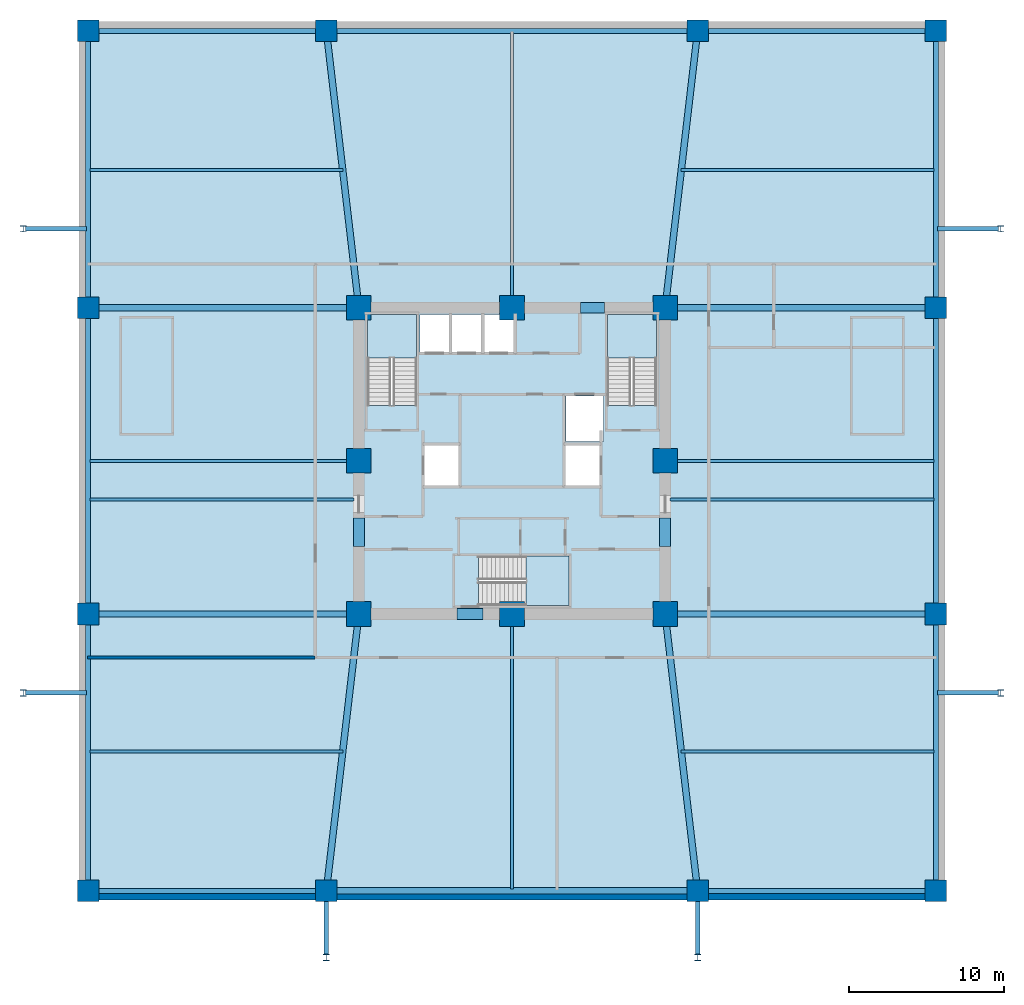
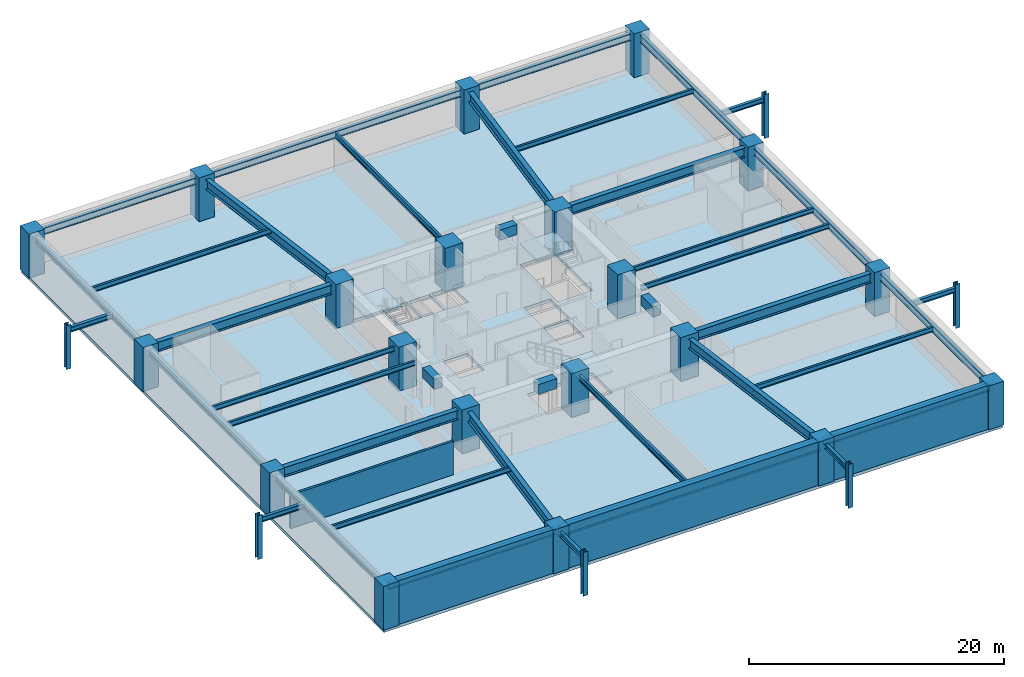
# One storey, part 1 of 5: 40 beams, 26 columns, 4 slabs, 2 walls, 3 elements without a shape of their own.
"""IFC4 building model written with IfcOpenShell, lengths in metres."""

from ifc_helpers import new_model, si_unit, direction, frame, frame_2d, origin, origin_2d, place, context, subcontext, project, spatial, polyline, rectangle, i_section, outline, extrude, material, layer, layer_set, material_profile, profile_set, type_object, element, aggregate, save


model = new_model("IFC4")

# Units and contexts
model_context = context("Model", 3, precision=1e-05, world=origin(), true_north=direction((0.0, 1.0)))
body_context = subcontext(model_context, "Body", "Model", "MODEL_VIEW")
ifc_project = project(units=[si_unit("LENGTHUNIT", "METRE"), si_unit("AREAUNIT", "SQUARE_METRE"), si_unit("VOLUMEUNIT", "CUBIC_METRE"), si_unit("PLANEANGLEUNIT", "RADIAN"), si_unit("MASSUNIT", "GRAM", prefix="KILO")], contexts=[model_context])

# Site, building, storey
site_placement = place(None, origin())
site = spatial("IfcSite", under=ifc_project, at=site_placement, CompositionType="ELEMENT")
building_placement = place(site_placement, origin())
building = spatial("IfcBuilding", under=site, at=building_placement, Name="Kolvaren Belvedere", CompositionType="ELEMENT")
storey_placement = place(building_placement, frame((0.0, 0.0, -4.199951171875)))
storey = spatial("IfcBuildingStorey", under=building, at=storey_placement, Name="B01", CompositionType="ELEMENT", Elevation=-4.199951171875)

# Columns
ifc_material_1 = material(Name="Concrete C60/75", Category="concrete")
ifc_material_profile_1 = material_profile(ifc_material_1, rectangle(XDim=1.39990234375, YDim=1.39990234375, at=origin_2d()), Name="RC 1400X1400")
ifc_profile_set_1 = profile_set([ifc_material_profile_1], Name="Concrete C60/75")
column_type_1 = type_object("IfcColumnType", Name="COL-RC-1400", PredefinedType="COLUMN", material=ifc_profile_set_1)
for number, where, z_axis, x_axis, name in (
    (1, (-27.39990234375, -27.800048828125, 0.0), (0.0, 0.0, 1.0), (1.0, 0.0, 0.0), "B01 Podium Mega-Column PA1"),
    (2, (-12.0, -27.800048828125, 0.0), (0.0, 0.0, 1.0), (1.0, 0.0, 0.0), "B01 Podium Mega-Column PA2"),
    (3, (12.0, -27.800048828125, 0.0), (0.0, 0.0, 1.0), (1.0, 0.0, 0.0), "B01 Podium Mega-Column PA3"),
    (4, (27.39990234375, -27.800048828125, 0.0), (0.0, 0.0, 1.0), (1.0, 0.0, 0.0), "B01 Podium Mega-Column PA4"),
    (5, (-27.39990234375, -9.89990234375, 0.0), (0.0, 0.0, 1.0), (1.0, 0.0, 0.0), "B01 Podium Mega-Column PB1"),
    (6, (27.39990234375, -9.89990234375, 0.0), (0.0, 0.0, 1.0), (1.0, 0.0, 0.0), "B01 Podium Mega-Column PB4"),
    (7, (-27.39990234375, 9.89990234375, 0.0), (0.0, 0.0, 1.0), (1.0, 0.0, 0.0), "B01 Podium Mega-Column PC1"),
    (8, (27.39990234375, 9.89990234375, 0.0), (0.0, 0.0, 1.0), (1.0, 0.0, 0.0), "B01 Podium Mega-Column PC4"),
    (9, (-27.39990234375, 27.800048828125, 0.0), (0.0, 0.0, 1.0), (1.0, 0.0, 0.0), "B01 Podium Mega-Column PD1"),
    (10, (-12.0, 27.800048828125, 0.0), (0.0, 0.0, 1.0), (1.0, 0.0, 0.0), "B01 Podium Mega-Column PD2"),
    (11, (12.0, 27.800048828125, 0.0), (0.0, 0.0, 1.0), (1.0, 0.0, 0.0), "B01 Podium Mega-Column PD3"),
    (12, (27.39990234375, 27.800048828125, 0.0), (0.0, 0.0, 1.0), (1.0, 0.0, 0.0), "B01 Podium Mega-Column PD4"),
):
    element("IfcColumn", number, at=place(storey_placement, frame(where, z_axis=z_axis, x_axis=x_axis)), inside=storey, type_object=column_type_1, Name=name, PredefinedType="COLUMN", context=body_context, shape_type="SweptSolid", body=[
        extrude(rectangle(XDim=1.39990234375, YDim=1.39990234375, at=origin_2d()), origin(), (0.0, 0.0, 1.0), 4.199951171875),
    ])
ifc_material_2 = material(Name="Concrete C60/75", Category="concrete")
ifc_material_profile_2 = material_profile(ifc_material_2, rectangle(XDim=1.60009765625, YDim=1.60009765625, at=origin_2d()), Name="RC 1600X1600")
ifc_profile_set_2 = profile_set([ifc_material_profile_2], Name="Concrete C60/75")
column_type_2 = type_object("IfcColumnType", Name="COL-RC-1600", PredefinedType="COLUMN", material=ifc_profile_set_2)
for number, where, z_axis, x_axis, name in (
    (13, (-9.89990234375, -9.89990234375, 0.0), (0.0, 0.0, 1.0), (1.0, 0.0, 0.0), "B01 Core Column CC1"),
    (14, (9.89990234375, -9.89990234375, 0.0), (0.0, 0.0, 1.0), (1.0, 0.0, 0.0), "B01 Core Column CC2"),
    (15, (9.89990234375, 9.89990234375, 0.0), (0.0, 0.0, 1.0), (1.0, 0.0, 0.0), "B01 Core Column CC3"),
    (16, (-9.89990234375, 9.89990234375, 0.0), (0.0, 0.0, 1.0), (1.0, 0.0, 0.0), "B01 Core Column CC4"),
    (17, (0.0, -9.89990234375, 0.0), (0.0, 0.0, 1.0), (1.0, 0.0, 0.0), "B01 Core Column CM1"),
    (18, (9.89990234375, 0.0, 0.0), (0.0, 0.0, 1.0), (1.0, 0.0, 0.0), "B01 Core Column CM2"),
    (19, (0.0, 9.89990234375, 0.0), (0.0, 0.0, 1.0), (1.0, 0.0, 0.0), "B01 Core Column CM3"),
    (20, (-9.89990234375, 0.0, 0.0), (0.0, 0.0, 1.0), (1.0, 0.0, 0.0), "B01 Core Column CM4"),
):
    element("IfcColumn", number, at=place(storey_placement, frame(where, z_axis=z_axis, x_axis=x_axis)), inside=storey, type_object=column_type_2, Name=name, PredefinedType="COLUMN", context=body_context, shape_type="SweptSolid", body=[
        extrude(rectangle(XDim=1.60009765625, YDim=1.60009765625, at=origin_2d()), origin(), (0.0, 0.0, 1.0), 4.199951171875),
    ])
ifc_material_3 = material(Name="Structural steel ASTM A992 Grade 50", Category="steel")
ifc_material_profile_3 = material_profile(ifc_material_3, i_section(OverallWidth=0.412109375, OverallDepth=0.43505859375, WebThickness=0.035888671875, FlangeThickness=0.057373046875, FilletRadius=0.02490234375, at=origin_2d()), Name="W14X311")
ifc_profile_set_3 = profile_set([ifc_material_profile_3], Name="Structural steel ASTM A992 Grade 50")
column_type_3 = type_object("IfcColumnType", Name="COL-ST-W14X311", PredefinedType="COLUMN", material=ifc_profile_set_3)
for number, where, z_axis, x_axis, name in (
    (21, (-31.60009765625, 15.0, 0.0), (0.0, 0.0, 1.0), (1.0, 0.0, 0.0), "B01 Forecourt Canopy Column PAD-NW"),
    (22, (-31.60009765625, -15.0, 0.0), (0.0, 0.0, 1.0), (1.0, 0.0, 0.0), "B01 Forecourt Canopy Column PAD-SW"),
    (23, (31.60009765625, 15.0, 0.0), (0.0, 0.0, 1.0), (1.0, 0.0, 0.0), "B01 Forecourt Canopy Column PAD-NE"),
    (24, (31.60009765625, -15.0, 0.0), (0.0, 0.0, 1.0), (1.0, 0.0, 0.0), "B01 Forecourt Canopy Column PAD-SE"),
    (25, (-12.0, -32.10009765625, 0.0), (0.0, 0.0, 1.0), (1.0, 0.0, 0.0), "B01 Forecourt Canopy Column PAD-S1"),
    (26, (12.0, -32.10009765625, 0.0), (0.0, 0.0, 1.0), (1.0, 0.0, 0.0), "B01 Forecourt Canopy Column PAD-S2"),
):
    element("IfcColumn", number, at=place(storey_placement, frame(where, z_axis=z_axis, x_axis=x_axis)), inside=storey, type_object=column_type_3, Name=name, PredefinedType="COLUMN", context=body_context, shape_type="SweptSolid", body=[
        extrude(i_section(OverallWidth=0.412109375, OverallDepth=0.43505859375, WebThickness=0.035888671875, FlangeThickness=0.057373046875, FilletRadius=0.02490234375, at=origin_2d()), origin(), (0.0, 0.0, 1.0), 4.199951171875),
    ])

# Beams
ifc_material_4 = material(Name="Structural steel ASTM A992 Grade 50", Category="steel")
ifc_material_profile_4 = material_profile(ifc_material_4, i_section(OverallWidth=0.423095703125, OverallDepth=0.947998046875, WebThickness=0.02392578125, FlangeThickness=0.042724609375, FilletRadius=0.028076171875, at=origin_2d()), Name="W36X302")
ifc_profile_set_4 = profile_set([ifc_material_profile_4], Name="Structural steel ASTM A992 Grade 50")
beam_type_1 = type_object("IfcBeamType", Name="BM-ARCH-W36X302", PredefinedType="BEAM", material=ifc_profile_set_4)
beam_1_placement = place(storey_placement, frame((-11.85009765625, -27.800048828125, 3.3759765625), z_axis=(1.0, 0.0, 0.0), x_axis=(0.0, 1.0, 0.0)))
element("IfcBeam", 27, at=beam_1_placement, inside=storey, type_object=beam_type_1, Name="B01 South Portal Header Spandrel", PredefinedType="SPANDREL", context=body_context, shape_type="SweptSolid", body=[
    extrude(i_section(OverallWidth=0.423095703125, OverallDepth=0.947998046875, WebThickness=0.02392578125, FlangeThickness=0.042724609375, FilletRadius=0.028076171875, at=origin_2d()), origin(), (0.0, 0.0, 1.0), 23.7001953125),
])
ifc_material_5 = material(Name="Structural steel ASTM A992 Grade 50", Category="steel")
ifc_material_profile_5 = material_profile(ifc_material_5, i_section(OverallWidth=0.281982421875, OverallDepth=0.467041015625, WebThickness=0.01220703125, FlangeThickness=0.01953125, FilletRadius=0.014892578125, at=origin_2d()), Name="W18X86")
ifc_profile_set_5 = profile_set([ifc_material_profile_5], Name="Structural steel ASTM A992 Grade 50")
beam_type_2 = type_object("IfcBeamType", Name="BM-CANT-PF", PredefinedType="BEAM", material=ifc_profile_set_5)
for number, where, z_axis, x_axis, name in (
    (28, (-31.43994140625, 15.0, 3.616455078125), (1.0, 0.0, 0.0), (0.0, 1.0, 0.0), "B01 Forecourt Canopy Tie Girder PAD-NW"),
    (29, (-31.43994140625, -15.0, 3.616455078125), (1.0, 0.0, 0.0), (0.0, 1.0, 0.0), "B01 Forecourt Canopy Tie Girder PAD-SW"),
    (30, (31.43994140625, 15.0, 3.616455078125), (-1.0, 0.0, 0.0), (0.0, -1.0, 0.0), "B01 Forecourt Canopy Tie Girder PAD-NE"),
    (31, (31.43994140625, -15.0, 3.616455078125), (-1.0, 0.0, 0.0), (0.0, -1.0, 0.0), "B01 Forecourt Canopy Tie Girder PAD-SE"),
):
    element("IfcBeam", number, at=place(storey_placement, frame(where, z_axis=z_axis, x_axis=x_axis)), inside=storey, type_object=beam_type_2, Name=name, PredefinedType="BEAM", context=body_context, shape_type="SweptSolid", body=[
        extrude(i_section(OverallWidth=0.281982421875, OverallDepth=0.467041015625, WebThickness=0.01220703125, FlangeThickness=0.01953125, FilletRadius=0.014892578125, at=origin_2d()), origin(), (0.0, 0.0, 1.0), 3.919921875),
    ])
for number, where, z_axis, x_axis, name in (
    (32, (-12.0, -31.93994140625, 3.616455078125), (0.0, 1.0, 0.0), (-1.0, 0.0, 0.0), "B01 Forecourt Canopy Tie Girder PAD-S1"),
    (33, (12.0, -31.93994140625, 3.616455078125), (0.0, 1.0, 0.0), (-1.0, 0.0, 0.0), "B01 Forecourt Canopy Tie Girder PAD-S2"),
):
    element("IfcBeam", number, at=place(storey_placement, frame(where, z_axis=z_axis, x_axis=x_axis)), inside=storey, type_object=beam_type_2, Name=name, PredefinedType="BEAM", context=body_context, shape_type="SweptSolid", body=[
        extrude(i_section(OverallWidth=0.281982421875, OverallDepth=0.467041015625, WebThickness=0.01220703125, FlangeThickness=0.01953125, FilletRadius=0.014892578125, at=origin_2d()), origin(), (0.0, 0.0, 1.0), 4.02001953125),
    ])
ifc_material_6 = material(Name="Structural steel ASTM A992 Grade 50", Category="steel")
ifc_material_profile_6 = material_profile(ifc_material_6, i_section(OverallWidth=0.2099609375, OverallDepth=0.537109375, WebThickness=0.010986328125, FlangeThickness=0.017333984375, FilletRadius=0.01611328125, at=origin_2d()), Name="W21X68")
ifc_profile_set_6 = profile_set([ifc_material_profile_6], Name="Structural steel ASTM A992 Grade 50")
beam_type_3 = type_object("IfcBeamType", Name="BM-FLR-W21X68", PredefinedType="BEAM", material=ifc_profile_set_6)
for number, where, z_axis, x_axis, name in (
    (34, (0.0, 10.22509765625, 3.58154296875), (0.0, 1.0, 0.0), (-1.0, 0.0, 0.0), "B01 North Centre Beam"),
    (35, (0.0, -10.22509765625, 3.58154296875), (0.0, -1.0, 0.0), (1.0, 0.0, 0.0), "B01 South Centre Beam"),
):
    element("IfcBeam", number, at=place(storey_placement, frame(where, z_axis=z_axis, x_axis=x_axis)), inside=storey, type_object=beam_type_3, Name=name, PredefinedType="BEAM", context=body_context, shape_type="SweptSolid", body=[
        extrude(i_section(OverallWidth=0.2099609375, OverallDepth=0.537109375, WebThickness=0.010986328125, FlangeThickness=0.017333984375, FilletRadius=0.01611328125, at=origin_2d()), origin(), (0.0, 0.0, 1.0), 17.454833984375),
    ])
ifc_material_7 = material(Name="Structural steel ASTM A992 Grade 50", Category="steel")
ifc_material_profile_7 = material_profile(ifc_material_7, i_section(OverallWidth=0.41796875, OverallDepth=0.927001953125, WebThickness=0.019287109375, FlangeThickness=0.031982421875, FilletRadius=0.028076171875, at=origin_2d()), Name="W36X231")
ifc_profile_set_7 = profile_set([ifc_material_profile_7], Name="Structural steel ASTM A992 Grade 50")
beam_type_4 = type_object("IfcBeamType", Name="BM-GIRD-W36X231", PredefinedType="BEAM", material=ifc_profile_set_7)
for number, where, z_axis, x_axis, name in (
    (36, (-27.25, -9.89990234375, 3.386474609375), (1.0, 0.0, 0.0), (0.0, 1.0, 0.0), "B01 West Interior Girder S"),
    (37, (-27.25, 9.89990234375, 3.386474609375), (1.0, 0.0, 0.0), (0.0, 1.0, 0.0), "B01 West Interior Girder N"),
    (38, (10.35009765625, -9.89990234375, 3.386474609375), (1.0, 0.0, 0.0), (0.0, 1.0, 0.0), "B01 East Interior Girder S"),
    (39, (10.35009765625, 9.89990234375, 3.386474609375), (1.0, 0.0, 0.0), (0.0, 1.0, 0.0), "B01 East Interior Girder N"),
):
    element("IfcBeam", number, at=place(storey_placement, frame(where, z_axis=z_axis, x_axis=x_axis)), inside=storey, type_object=beam_type_4, Name=name, PredefinedType="BEAM", context=body_context, shape_type="SweptSolid", body=[
        extrude(i_section(OverallWidth=0.41796875, OverallDepth=0.927001953125, WebThickness=0.019287109375, FlangeThickness=0.031982421875, FilletRadius=0.028076171875, at=origin_2d()), origin(), (0.0, 0.0, 1.0), 16.89990234375),
    ])
for number, where, z_axis, x_axis, name in (
    (40, (-9.952392578125, 10.346923828125, 3.386474609375), (-0.116516841483, 0.993188716031, 0.0), (-0.993188716031, -0.116516841483, 0.0), "B01 North-West Radial Girder"),
    (41, (9.952392578125, 10.346923828125, 3.386474609375), (0.116516841483, 0.993188716031, 0.0), (-0.993188716031, 0.116516841483, 0.0), "B01 North-East Radial Girder"),
    (42, (-9.952392578125, -10.346923828125, 3.386474609375), (-0.116516841483, -0.993188716031, 0.0), (0.993188716031, -0.116516841483, 0.0), "B01 South-West Portal Girder"),
    (43, (9.952392578125, -10.346923828125, 3.386474609375), (0.116516841483, -0.993188716031, 0.0), (0.993188716031, 0.116516841483, 0.0), "B01 South-East Portal Girder"),
):
    element("IfcBeam", number, at=place(storey_placement, frame(where, z_axis=z_axis, x_axis=x_axis)), inside=storey, type_object=beam_type_4, Name=name, PredefinedType="BEAM", context=body_context, shape_type="SweptSolid", body=[
        extrude(i_section(OverallWidth=0.41796875, OverallDepth=0.927001953125, WebThickness=0.019287109375, FlangeThickness=0.031982421875, FilletRadius=0.028076171875, at=origin_2d()), origin(), (0.0, 0.0, 1.0), 17.422607421875),
    ])
ifc_material_8 = material(Name="Structural steel ASTM A992 Grade 50", Category="steel")
ifc_material_profile_8 = material_profile(ifc_material_8, i_section(OverallWidth=0.19091796875, OverallDepth=0.4599609375, WebThickness=0.010009765625, FlangeThickness=0.01611328125, FilletRadius=0.014892578125, at=origin_2d()), Name="W18X55")
ifc_profile_set_8 = profile_set([ifc_material_profile_8], Name="Structural steel ASTM A992 Grade 50")
beam_type_5 = type_object("IfcBeamType", Name="BM-JOIST-W18X55", PredefinedType="BEAM", material=ifc_profile_set_8)
for number, where, z_axis, x_axis, name in (
    (44, (-27.280029296875, -18.800048828125, 3.619873046875), (1.0, 0.0, 0.0), (0.0, 1.0, 0.0), "B01 West Bay Floor Beam"),
    (45, (10.93994140625, -18.800048828125, 3.619873046875), (1.0, 0.0, 0.0), (0.0, 1.0, 0.0), "B01 East Bay Floor Beam"),
):
    element("IfcBeam", number, at=place(storey_placement, frame(where, z_axis=z_axis, x_axis=x_axis)), inside=storey, type_object=beam_type_5, Name=name, PredefinedType="BEAM", context=body_context, shape_type="SweptSolid", body=[
        extrude(i_section(OverallWidth=0.19091796875, OverallDepth=0.4599609375, WebThickness=0.010009765625, FlangeThickness=0.01611328125, FilletRadius=0.014892578125, at=origin_2d()), origin(), (0.0, 0.0, 1.0), 16.340087890625),
    ])
for number, where, z_axis, x_axis, name in (
    (46, (-27.280029296875, -2.5, 3.619873046875), (1.0, 0.0, 0.0), (0.0, 1.0, 0.0), "B01 West Bay Floor Beam"),
    (47, (10.22509765625, -2.5, 3.619873046875), (1.0, 0.0, 0.0), (0.0, 1.0, 0.0), "B01 East Bay Floor Beam"),
    (48, (-27.280029296875, 0.0, 3.619873046875), (1.0, 0.0, 0.0), (0.0, 1.0, 0.0), "B01 West Bay Floor Beam"),
    (49, (10.22509765625, 0.0, 3.619873046875), (1.0, 0.0, 0.0), (0.0, 1.0, 0.0), "B01 East Bay Floor Beam"),
):
    element("IfcBeam", number, at=place(storey_placement, frame(where, z_axis=z_axis, x_axis=x_axis)), inside=storey, type_object=beam_type_5, Name=name, PredefinedType="BEAM", context=body_context, shape_type="SweptSolid", body=[
        extrude(i_section(OverallWidth=0.19091796875, OverallDepth=0.4599609375, WebThickness=0.010009765625, FlangeThickness=0.01611328125, FilletRadius=0.014892578125, at=origin_2d()), origin(), (0.0, 0.0, 1.0), 17.054931640625),
    ])
for number, where, z_axis, x_axis, name in (
    (50, (-27.280029296875, 18.800048828125, 3.619873046875), (1.0, 0.0, 0.0), (0.0, 1.0, 0.0), "B01 West Bay Floor Beam"),
    (51, (10.93994140625, 18.800048828125, 3.619873046875), (1.0, 0.0, 0.0), (0.0, 1.0, 0.0), "B01 East Bay Floor Beam"),
):
    element("IfcBeam", number, at=place(storey_placement, frame(where, z_axis=z_axis, x_axis=x_axis)), inside=storey, type_object=beam_type_5, Name=name, PredefinedType="BEAM", context=body_context, shape_type="SweptSolid", body=[
        extrude(i_section(OverallWidth=0.19091796875, OverallDepth=0.4599609375, WebThickness=0.010009765625, FlangeThickness=0.01611328125, FilletRadius=0.014892578125, at=origin_2d()), origin(), (0.0, 0.0, 1.0), 16.340087890625),
    ])
ifc_material_9 = material(Name="Concrete C60/75", Category="concrete")
ifc_material_profile_9 = material_profile(ifc_material_9, rectangle(XDim=0.699951171875, YDim=0.949951171875, at=origin_2d()), Name="RC 700X950")
ifc_profile_set_9 = profile_set([ifc_material_profile_9], Name="Concrete C60/75")
beam_type_6 = type_object("IfcBeamType", Name="BM-LINT-950", PredefinedType="LINTEL", material=ifc_profile_set_9)
beam_2_placement = place(storey_placement, frame((-3.5400390625, -9.89990234375, 3.375), z_axis=(1.0, 0.0, 0.0), x_axis=(0.0, 1.0, 0.0)))
element("IfcBeam", 52, at=beam_2_placement, inside=storey, type_object=beam_type_6, Name="B01 South Core Coupling Lintel", PredefinedType="LINTEL", context=body_context, shape_type="SweptSolid", body=[
    extrude(rectangle(XDim=0.699951171875, YDim=0.949951171875, at=origin_2d()), origin(), (0.0, 0.0, 1.0), 1.679931640625),
])
beam_3_placement = place(storey_placement, frame((4.419921875, 9.89990234375, 3.375), z_axis=(1.0, 0.0, 0.0), x_axis=(0.0, 1.0, 0.0)))
element("IfcBeam", 53, at=beam_3_placement, inside=storey, type_object=beam_type_6, Name="B01 North Core Coupling Lintel", PredefinedType="LINTEL", context=body_context, shape_type="SweptSolid", body=[
    extrude(rectangle(XDim=0.699951171875, YDim=0.949951171875, at=origin_2d()), origin(), (0.0, 0.0, 1.0), 1.56005859375),
])
for number, where, z_axis, x_axis, name in (
    (54, (-9.89990234375, -5.550048828125, 3.375), (0.0, 1.0, 0.0), (-1.0, 0.0, 0.0), "B01 West Core Coupling Lintel"),
    (55, (9.89990234375, -5.550048828125, 3.375), (0.0, 1.0, 0.0), (-1.0, 0.0, 0.0), "B01 East Core Coupling Lintel"),
):
    element("IfcBeam", number, at=place(storey_placement, frame(where, z_axis=z_axis, x_axis=x_axis)), inside=storey, type_object=beam_type_6, Name=name, PredefinedType="LINTEL", context=body_context, shape_type="SweptSolid", body=[
        extrude(rectangle(XDim=0.699951171875, YDim=0.949951171875, at=origin_2d()), origin(), (0.0, 0.0, 1.0), 1.85009765625),
    ])
ifc_material_10 = material(Name="Structural steel ASTM A992 Grade 50", Category="steel")
ifc_material_profile_10 = material_profile(ifc_material_10, i_section(OverallWidth=0.324951171875, OverallDepth=0.615966796875, WebThickness=0.013916015625, FlangeThickness=0.021484375, FilletRadius=0.02001953125, at=origin_2d()), Name="W24X117")
ifc_profile_set_10 = profile_set([ifc_material_profile_10], Name="Structural steel ASTM A992 Grade 50")
beam_type_7 = type_object("IfcBeamType", Name="BM-SPAN-W24X117", PredefinedType="SPANDREL", material=ifc_profile_set_10)
beam_4_placement = place(storey_placement, frame((-27.25, 27.800048828125, 3.5419921875), z_axis=(1.0, 0.0, 0.0), x_axis=(0.0, 1.0, 0.0)))
element("IfcBeam", 56, at=beam_4_placement, inside=storey, type_object=beam_type_7, Name="B01 North Podium Spandrel 1", PredefinedType="SPANDREL", context=body_context, shape_type="SweptSolid", body=[
    extrude(i_section(OverallWidth=0.324951171875, OverallDepth=0.615966796875, WebThickness=0.013916015625, FlangeThickness=0.021484375, FilletRadius=0.02001953125, at=origin_2d()), origin(), (0.0, 0.0, 1.0), 15.10009765625),
])
beam_5_placement = place(storey_placement, frame((-11.85009765625, 27.800048828125, 3.5419921875), z_axis=(1.0, 0.0, 0.0), x_axis=(0.0, 1.0, 0.0)))
element("IfcBeam", 57, at=beam_5_placement, inside=storey, type_object=beam_type_7, Name="B01 North Podium Spandrel 2", PredefinedType="SPANDREL", context=body_context, shape_type="SweptSolid", body=[
    extrude(i_section(OverallWidth=0.324951171875, OverallDepth=0.615966796875, WebThickness=0.013916015625, FlangeThickness=0.021484375, FilletRadius=0.02001953125, at=origin_2d()), origin(), (0.0, 0.0, 1.0), 23.7001953125),
])
for number, where, z_axis, x_axis, name in (
    (58, (12.14990234375, 27.800048828125, 3.5419921875), (1.0, 0.0, 0.0), (0.0, 1.0, 0.0), "B01 North Podium Spandrel 3"),
    (59, (-27.25, -27.800048828125, 3.5419921875), (1.0, 0.0, 0.0), (0.0, 1.0, 0.0), "B01 South Podium Spandrel 1"),
    (60, (12.14990234375, -27.800048828125, 3.5419921875), (1.0, 0.0, 0.0), (0.0, 1.0, 0.0), "B01 South Podium Spandrel 3"),
):
    element("IfcBeam", number, at=place(storey_placement, frame(where, z_axis=z_axis, x_axis=x_axis)), inside=storey, type_object=beam_type_7, Name=name, PredefinedType="SPANDREL", context=body_context, shape_type="SweptSolid", body=[
        extrude(i_section(OverallWidth=0.324951171875, OverallDepth=0.615966796875, WebThickness=0.013916015625, FlangeThickness=0.021484375, FilletRadius=0.02001953125, at=origin_2d()), origin(), (0.0, 0.0, 1.0), 15.10009765625),
    ])
beam_6_placement = place(storey_placement, frame((-27.39990234375, -27.64990234375, 3.5419921875), z_axis=(0.0, 1.0, 0.0), x_axis=(-1.0, 0.0, 0.0)))
element("IfcBeam", 61, at=beam_6_placement, inside=storey, type_object=beam_type_7, Name="B01 W Podium Spandrel 1", PredefinedType="SPANDREL", context=body_context, shape_type="SweptSolid", body=[
    extrude(i_section(OverallWidth=0.324951171875, OverallDepth=0.615966796875, WebThickness=0.013916015625, FlangeThickness=0.021484375, FilletRadius=0.02001953125, at=origin_2d()), origin(), (0.0, 0.0, 1.0), 17.599853515625),
])
beam_7_placement = place(storey_placement, frame((-27.39990234375, -9.75, 3.5419921875), z_axis=(0.0, 1.0, 0.0), x_axis=(-1.0, 0.0, 0.0)))
element("IfcBeam", 62, at=beam_7_placement, inside=storey, type_object=beam_type_7, Name="B01 W Podium Spandrel 2", PredefinedType="SPANDREL", context=body_context, shape_type="SweptSolid", body=[
    extrude(i_section(OverallWidth=0.324951171875, OverallDepth=0.615966796875, WebThickness=0.013916015625, FlangeThickness=0.021484375, FilletRadius=0.02001953125, at=origin_2d()), origin(), (0.0, 0.0, 1.0), 19.5),
])
for number, where, z_axis, x_axis, name in (
    (63, (-27.39990234375, 10.050048828125, 3.5419921875), (0.0, 1.0, 0.0), (-1.0, 0.0, 0.0), "B01 W Podium Spandrel 3"),
    (64, (27.39990234375, -27.64990234375, 3.5419921875), (0.0, 1.0, 0.0), (-1.0, 0.0, 0.0), "B01 E Podium Spandrel 1"),
):
    element("IfcBeam", number, at=place(storey_placement, frame(where, z_axis=z_axis, x_axis=x_axis)), inside=storey, type_object=beam_type_7, Name=name, PredefinedType="SPANDREL", context=body_context, shape_type="SweptSolid", body=[
        extrude(i_section(OverallWidth=0.324951171875, OverallDepth=0.615966796875, WebThickness=0.013916015625, FlangeThickness=0.021484375, FilletRadius=0.02001953125, at=origin_2d()), origin(), (0.0, 0.0, 1.0), 17.599853515625),
    ])
beam_8_placement = place(storey_placement, frame((27.39990234375, -9.75, 3.5419921875), z_axis=(0.0, 1.0, 0.0), x_axis=(-1.0, 0.0, 0.0)))
element("IfcBeam", 65, at=beam_8_placement, inside=storey, type_object=beam_type_7, Name="B01 E Podium Spandrel 2", PredefinedType="SPANDREL", context=body_context, shape_type="SweptSolid", body=[
    extrude(i_section(OverallWidth=0.324951171875, OverallDepth=0.615966796875, WebThickness=0.013916015625, FlangeThickness=0.021484375, FilletRadius=0.02001953125, at=origin_2d()), origin(), (0.0, 0.0, 1.0), 19.5),
])
beam_9_placement = place(storey_placement, frame((27.39990234375, 10.050048828125, 3.5419921875), z_axis=(0.0, 1.0, 0.0), x_axis=(-1.0, 0.0, 0.0)))
element("IfcBeam", 66, at=beam_9_placement, inside=storey, type_object=beam_type_7, Name="B01 E Podium Spandrel 3", PredefinedType="SPANDREL", context=body_context, shape_type="SweptSolid", body=[
    extrude(i_section(OverallWidth=0.324951171875, OverallDepth=0.615966796875, WebThickness=0.013916015625, FlangeThickness=0.021484375, FilletRadius=0.02001953125, at=origin_2d()), origin(), (0.0, 0.0, 1.0), 17.599853515625),
])

# Slab
ifc_material_11 = material(Name="Concrete C50/60", Category="concrete")
ifc_layer_1 = layer(ifc_material_11, 0.300048828125)
ifc_layer_set_1 = layer_set([ifc_layer_1], Name="Concrete C50/60")
slab_type_1 = type_object("IfcSlabType", Name="SL-FLR-300", PredefinedType="FLOOR", material=ifc_layer_set_1)
slab_1_placement = place(storey_placement, frame((0.0, 0.0, -0.300048828125)))
element("IfcSlab", 67, at=slab_1_placement, inside=storey, type_object=slab_type_1, Name="B01 Primary Structural Slab", PredefinedType="FLOOR", context=body_context, shape_type="SweptSolid", body=[
    extrude(outline(polyline([(-28.0, -28.39990234375), (28.0, -28.39990234375), (28.0, 28.39990234375), (-28.0, 28.39990234375), (-28.0, -28.39990234375)]), holes=[polyline([(-9.35009765625, 3.580078125), (-6.159912109375, 3.580078125), (-6.159912109375, 9.449951171875), (-9.35009765625, 9.449951171875), (-9.35009765625, 3.580078125)]), polyline([(6.159912109375, 3.580078125), (9.35009765625, 3.580078125), (9.35009765625, 9.449951171875), (6.159912109375, 9.449951171875), (6.159912109375, 3.580078125)]), polyline([(-2.169921875, -9.35009765625), (3.699951171875, -9.35009765625), (3.699951171875, -6.159912109375), (-2.169921875, -6.159912109375), (-2.169921875, -9.35009765625)]), polyline([(-5.64990234375, -1.60009765625), (-3.449951171875, -1.60009765625), (-3.449951171875, 1.0), (-5.64990234375, 1.0), (-5.64990234375, -1.60009765625)]), polyline([(3.5, 1.25), (5.89990234375, 1.25), (5.89990234375, 4.199951171875), (3.5, 4.199951171875), (3.5, 1.25)]), polyline([(3.449951171875, -1.60009765625), (5.64990234375, -1.60009765625), (5.64990234375, 1.0), (3.449951171875, 1.0), (3.449951171875, -1.60009765625)]), polyline([(-5.9599609375, 7.050048828125), (-4.06005859375, 7.050048828125), (-4.06005859375, 9.449951171875), (-5.9599609375, 9.449951171875), (-5.9599609375, 7.050048828125)]), polyline([(-3.8798828125, 7.050048828125), (-1.97998046875, 7.050048828125), (-1.97998046875, 9.449951171875), (-3.8798828125, 9.449951171875), (-3.8798828125, 7.050048828125)]), polyline([(-1.800048828125, 7.050048828125), (0.10009765625, 7.050048828125), (0.10009765625, 9.449951171875), (-1.800048828125, 9.449951171875), (-1.800048828125, 7.050048828125)])]), origin(), (0.0, 0.0, 1.0), 0.300048828125),
])

# Stair, slab
ifc_material_12 = material(Name="Concrete C50/60", Category="concrete")
stair_type = type_object("IfcStairType", Name="ST-CORE-1520", PredefinedType="HALF_TURN_STAIR", material=ifc_material_12)
stair_1_placement = place(storey_placement, origin())
stair_1 = element("IfcStair", 68, at=stair_1_placement, inside=storey, type_object=stair_type, Name="B01 Protected Exit Stair ST-1", PredefinedType="HALF_TURN_STAIR")
ifc_material_13 = material(Name="Concrete C50/60", Category="concrete")
ifc_layer_2 = layer(ifc_material_13, 0.260009765625)
ifc_layer_set_2 = layer_set([ifc_layer_2], Name="Concrete C50/60")
slab_type_2 = type_object("IfcSlabType", Name="SL-LAND-260", PredefinedType="LANDING", material=ifc_layer_set_2)
slab_2_placement = place(storey_placement, frame((0.0, 0.0, 1.89990234375)))
slab_2 = element("IfcSlab", 69, at=slab_2_placement, type_object=slab_type_2, Name="ST-1 landing 1", PredefinedType="LANDING", context=body_context, shape_type="SweptSolid", body=[
    extrude(outline(polyline([(-6.159912109375, 6.64990234375), (-6.159912109375, 9.449951171875), (-9.35009765625, 9.449951171875), (-9.35009765625, 6.64990234375), (-6.159912109375, 6.64990234375)])), origin(), (0.0, 0.0, 1.0), 0.199951171875),
])
aggregate(stair_1, [slab_2])

stair_2_placement = place(storey_placement, origin())
stair_2 = element("IfcStair", 70, at=stair_2_placement, inside=storey, type_object=stair_type, Name="B01 Protected Exit Stair ST-2", PredefinedType="HALF_TURN_STAIR")
slab_3_placement = place(storey_placement, frame((0.0, 0.0, 1.89990234375)))
slab_3 = element("IfcSlab", 71, at=slab_3_placement, type_object=slab_type_2, Name="ST-2 landing 1", PredefinedType="LANDING", context=body_context, shape_type="SweptSolid", body=[
    extrude(outline(polyline([(9.35009765625, 6.64990234375), (9.35009765625, 9.449951171875), (6.159912109375, 9.449951171875), (6.159912109375, 6.64990234375), (9.35009765625, 6.64990234375)])), origin(), (0.0, 0.0, 1.0), 0.199951171875),
])
aggregate(stair_2, [slab_3])

stair_3_placement = place(storey_placement, origin())
stair_3 = element("IfcStair", 72, at=stair_3_placement, inside=storey, type_object=stair_type, Name="B01 Protected Exit Stair ST-3", PredefinedType="HALF_TURN_STAIR")
slab_4_placement = place(storey_placement, frame((0.0, 0.0, 1.89990234375)))
slab_4 = element("IfcSlab", 73, at=slab_4_placement, type_object=slab_type_2, Name="ST-3 landing 1", PredefinedType="LANDING", context=body_context, shape_type="SweptSolid", body=[
    extrude(outline(polyline([(0.89990234375, -9.35009765625), (3.699951171875, -9.35009765625), (3.699951171875, -6.159912109375), (0.89990234375, -6.159912109375), (0.89990234375, -9.35009765625)])), origin(), (0.0, 0.0, 1.0), 0.199951171875),
])
aggregate(stair_3, [slab_4])

# Walls
ifc_material_14 = material(Name="Concrete C50/60", Category="concrete")
ifc_layer_3 = layer(ifc_material_14, 0.64990234375)
ifc_layer_set_3 = layer_set([ifc_layer_3], Name="Concrete C50/60")
wall_type_1 = type_object("IfcWallType", Name="RW-BASE-650", PredefinedType="SHEAR", material=ifc_layer_set_3)
wall_1_placement = place(storey_placement, frame((-28.0, -28.074951171875, 0.0), z_axis=(0.0, 0.0, 1.0), x_axis=(1.0, 0.0, 0.0)))
element("IfcWall", 74, at=wall_1_placement, inside=storey, type_object=wall_type_1, Name="B01 South Perimeter Retaining Wall", PredefinedType="SHEAR", context=body_context, shape_type="SweptSolid", body=[
    extrude(rectangle(XDim=56.0, YDim=0.64990234375, at=frame_2d((28.0, 0.0))), origin(), (0.0, 0.0, 1.0), 4.199951171875),
])
ifc_material_15 = material(Name="Concrete C50/60", Category="concrete")
ifc_layer_4 = layer(ifc_material_15, 0.199951171875)
ifc_layer_set_4 = layer_set([ifc_layer_4], Name="Concrete C50/60")
wall_type_2 = type_object("IfcWallType", Name="WL-SHAFT-200", PredefinedType="SOLIDWALL", material=ifc_layer_set_4)
wall_2_placement = place(storey_placement, frame((-27.43994140625, -12.719970703125, 0.0), z_axis=(0.0, 0.0, 1.0), x_axis=(1.0, 0.0, 0.0)))
element("IfcWall", 75, at=wall_2_placement, inside=storey, type_object=wall_type_2, Name="B01 Sector Wall PW-B01-QSW", PredefinedType="SOLIDWALL", context=body_context, shape_type="SweptSolid", body=[
    extrude(rectangle(XDim=14.719970703125, YDim=0.199951171875, at=frame_2d((7.35986328125, 0.0))), origin(), (0.0, 0.0, 1.0), 3.218994140625),
])

save(model, "model.ifc")
